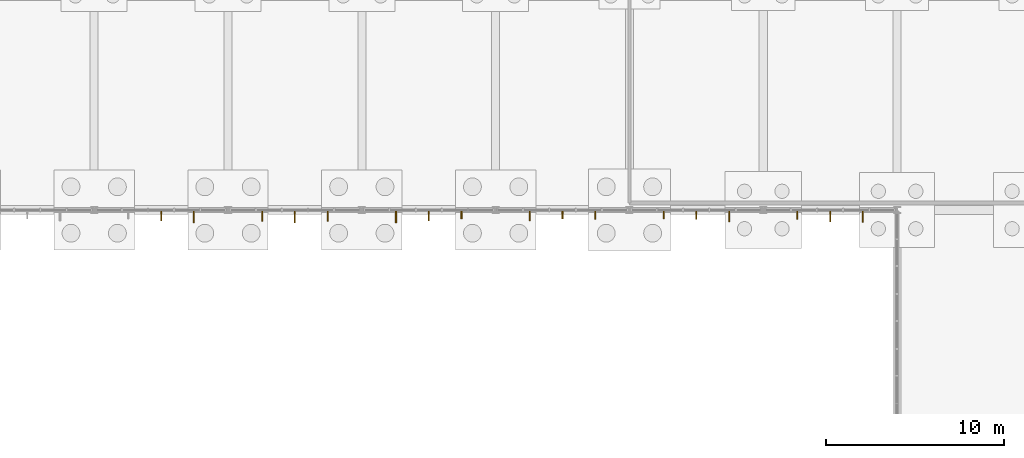
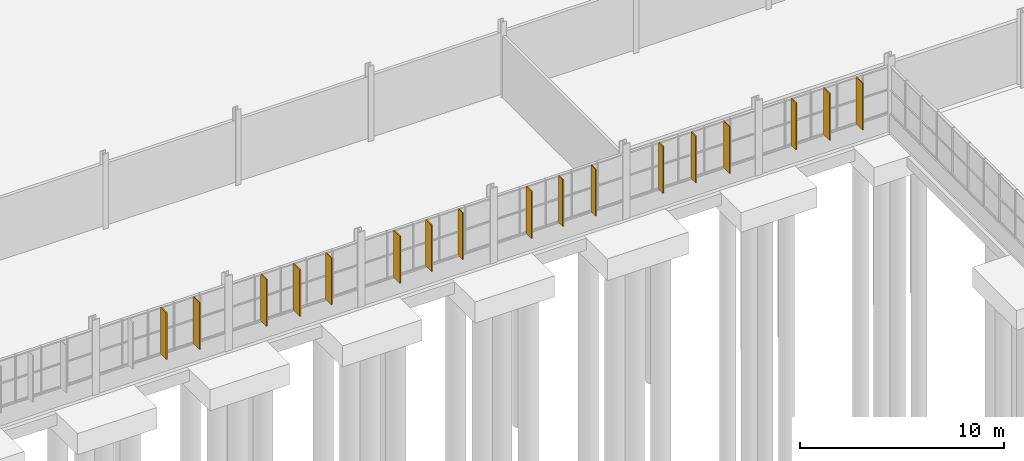
# One storey, part 128 of 136: 17 coverings.
"""IFC4 building model written with IfcOpenShell, lengths in metres."""

from ifc_helpers import new_model, si_unit, direction, frame, origin, origin_2d, place, context, subcontext, project, spatial, rectangle, extrude, material, layer, layer_set, type_object, element, save


model = new_model("IFC4")

# Units and contexts
model_context = context("Model", 3, precision=1e-05, world=origin(), true_north=direction((0.0, 1.0)))
body_context = subcontext(model_context, "Body", "Model", "MODEL_VIEW")
ifc_project = project(units=[si_unit("LENGTHUNIT", "METRE"), si_unit("AREAUNIT", "SQUARE_METRE"), si_unit("VOLUMEUNIT", "CUBIC_METRE"), si_unit("PLANEANGLEUNIT", "RADIAN"), si_unit("MASSUNIT", "GRAM", prefix="KILO")], contexts=[model_context])

# Site, building, storey
site_placement = place(None, origin())
site = spatial("IfcSite", under=ifc_project, at=site_placement, CompositionType="ELEMENT")
building_placement = place(site_placement, origin())
building = spatial("IfcBuilding", under=site, at=building_placement, Name="Solvenia Promenade Tram Depot", CompositionType="ELEMENT")
storey_placement = place(building_placement, origin())
storey = spatial("IfcBuildingStorey", under=building, at=storey_placement, Name="L00", CompositionType="ELEMENT", Elevation=0.0)

# Coverings
ifc_material = material(Name="Anodized aluminium AW-6063 T6", Category="aluminium")
ifc_layer = layer(ifc_material, 0.06005859375, Name="Anodized aluminium AW-6063 T6", Category="aluminium")
ifc_layer_set = layer_set([ifc_layer], Name="Anodized aluminium AW-6063 T6")
covering_type = type_object("IfcCoveringType", Name="Fin-Param-560", PredefinedType="CLADDING", material=ifc_layer_set)
covering_1_placement = place(storey_placement, frame((63.75, 65.6630859375, 1.0498046875), z_axis=(0.0, 0.0, 1.0), x_axis=(1.0, 0.0, 0.0)))
element("IfcCovering", 1, at=covering_1_placement, inside=storey, type_object=covering_type, Name="Parametric Vertical Brise-Soleil Fin 111", PredefinedType="CLADDING", context=body_context, shape_type="SweptSolid", body=[
    extrude(rectangle(XDim=0.06005859375, YDim=0.553955078125, at=origin_2d()), origin(), (0.0, 0.0, 1.0), 2.800048828125),
])
covering_2_placement = place(storey_placement, frame((65.5849609375, 65.6201171875, 1.0498046875), z_axis=(0.0, 0.0, 1.0), x_axis=(1.0, 0.0, 0.0)))
element("IfcCovering", 2, at=covering_2_placement, inside=storey, type_object=covering_type, Name="Parametric Vertical Brise-Soleil Fin 112", PredefinedType="CLADDING", context=body_context, shape_type="SweptSolid", body=[
    extrude(rectangle(XDim=0.06005859375, YDim=0.639892578125, at=origin_2d()), origin(), (0.0, 0.0, 1.0), 2.800048828125),
])
covering_3_placement = place(storey_placement, frame((69.4150390625, 65.662109375, 1.0498046875), z_axis=(0.0, 0.0, 1.0), x_axis=(1.0, 0.0, 0.0)))
element("IfcCovering", 3, at=covering_3_placement, inside=storey, type_object=covering_type, Name="Parametric Vertical Brise-Soleil Fin 116", PredefinedType="CLADDING", context=body_context, shape_type="SweptSolid", body=[
    extrude(rectangle(XDim=0.06005859375, YDim=0.555908203125, at=origin_2d()), origin(), (0.0, 0.0, 1.0), 2.800048828125),
])
covering_4_placement = place(storey_placement, frame((71.25, 65.6201171875, 1.0498046875), z_axis=(0.0, 0.0, 1.0), x_axis=(1.0, 0.0, 0.0)))
element("IfcCovering", 4, at=covering_4_placement, inside=storey, type_object=covering_type, Name="Parametric Vertical Brise-Soleil Fin 117", PredefinedType="CLADDING", context=body_context, shape_type="SweptSolid", body=[
    extrude(rectangle(XDim=0.06005859375, YDim=0.639892578125, at=origin_2d()), origin(), (0.0, 0.0, 1.0), 2.800048828125),
])
covering_5_placement = place(storey_placement, frame((73.0849609375, 65.662109375, 1.0498046875), z_axis=(0.0, 0.0, 1.0), x_axis=(1.0, 0.0, 0.0)))
element("IfcCovering", 5, at=covering_5_placement, inside=storey, type_object=covering_type, Name="Parametric Vertical Brise-Soleil Fin 118", PredefinedType="CLADDING", context=body_context, shape_type="SweptSolid", body=[
    extrude(rectangle(XDim=0.06005859375, YDim=0.555908203125, at=origin_2d()), origin(), (0.0, 0.0, 1.0), 2.800048828125),
])
covering_6_placement = place(storey_placement, frame((76.9150390625, 65.6201171875, 1.0498046875), z_axis=(0.0, 0.0, 1.0), x_axis=(1.0, 0.0, 0.0)))
element("IfcCovering", 6, at=covering_6_placement, inside=storey, type_object=covering_type, Name="Parametric Vertical Brise-Soleil Fin 122", PredefinedType="CLADDING", context=body_context, shape_type="SweptSolid", body=[
    extrude(rectangle(XDim=0.06005859375, YDim=0.639892578125, at=origin_2d()), origin(), (0.0, 0.0, 1.0), 2.800048828125),
])
covering_7_placement = place(storey_placement, frame((78.75, 65.6630859375, 1.0498046875), z_axis=(0.0, 0.0, 1.0), x_axis=(1.0, 0.0, 0.0)))
element("IfcCovering", 7, at=covering_7_placement, inside=storey, type_object=covering_type, Name="Parametric Vertical Brise-Soleil Fin 123", PredefinedType="CLADDING", context=body_context, shape_type="SweptSolid", body=[
    extrude(rectangle(XDim=0.06005859375, YDim=0.553955078125, at=origin_2d()), origin(), (0.0, 0.0, 1.0), 2.800048828125),
])
covering_8_placement = place(storey_placement, frame((80.5849609375, 65.724609375, 1.0498046875), z_axis=(0.0, 0.0, 1.0), x_axis=(1.0, 0.0, 0.0)))
element("IfcCovering", 8, at=covering_8_placement, inside=storey, type_object=covering_type, Name="Parametric Vertical Brise-Soleil Fin 124", PredefinedType="CLADDING", context=body_context, shape_type="SweptSolid", body=[
    extrude(rectangle(XDim=0.06005859375, YDim=0.430908203125, at=origin_2d()), origin(), (0.0, 0.0, 1.0), 2.800048828125),
])
covering_9_placement = place(storey_placement, frame((84.4150390625, 65.6640625, 1.0498046875), z_axis=(0.0, 0.0, 1.0), x_axis=(1.0, 0.0, 0.0)))
element("IfcCovering", 9, at=covering_9_placement, inside=storey, type_object=covering_type, Name="Parametric Vertical Brise-Soleil Fin 128", PredefinedType="CLADDING", context=body_context, shape_type="SweptSolid", body=[
    extrude(rectangle(XDim=0.06005859375, YDim=0.552001953125, at=origin_2d()), origin(), (0.0, 0.0, 1.0), 2.800048828125),
])
covering_10_placement = place(storey_placement, frame((86.25, 65.72509765625, 1.0498046875), z_axis=(0.0, 0.0, 1.0), x_axis=(1.0, 0.0, 0.0)))
element("IfcCovering", 10, at=covering_10_placement, inside=storey, type_object=covering_type, Name="Parametric Vertical Brise-Soleil Fin 129", PredefinedType="CLADDING", context=body_context, shape_type="SweptSolid", body=[
    extrude(rectangle(XDim=0.06005859375, YDim=0.429931640625, at=origin_2d()), origin(), (0.0, 0.0, 1.0), 2.800048828125),
])
covering_11_placement = place(storey_placement, frame((88.0849609375, 65.70947265625, 1.0498046875), z_axis=(0.0, 0.0, 1.0), x_axis=(1.0, 0.0, 0.0)))
element("IfcCovering", 11, at=covering_11_placement, inside=storey, type_object=covering_type, Name="Parametric Vertical Brise-Soleil Fin 130", PredefinedType="CLADDING", context=body_context, shape_type="SweptSolid", body=[
    extrude(rectangle(XDim=0.06005859375, YDim=0.4609375, at=origin_2d()), origin(), (0.0, 0.0, 1.0), 2.800048828125),
])
covering_12_placement = place(storey_placement, frame((91.9150390625, 65.72509765625, 1.0498046875), z_axis=(0.0, 0.0, 1.0), x_axis=(1.0, 0.0, 0.0)))
element("IfcCovering", 12, at=covering_12_placement, inside=storey, type_object=covering_type, Name="Parametric Vertical Brise-Soleil Fin 134", PredefinedType="CLADDING", context=body_context, shape_type="SweptSolid", body=[
    extrude(rectangle(XDim=0.06005859375, YDim=0.429931640625, at=origin_2d()), origin(), (0.0, 0.0, 1.0), 2.800048828125),
])
covering_13_placement = place(storey_placement, frame((93.75, 65.708984375, 1.0498046875), z_axis=(0.0, 0.0, 1.0), x_axis=(1.0, 0.0, 0.0)))
element("IfcCovering", 13, at=covering_13_placement, inside=storey, type_object=covering_type, Name="Parametric Vertical Brise-Soleil Fin 135", PredefinedType="CLADDING", context=body_context, shape_type="SweptSolid", body=[
    extrude(rectangle(XDim=0.06005859375, YDim=0.4619140625, at=origin_2d()), origin(), (0.0, 0.0, 1.0), 2.800048828125),
])
covering_14_placement = place(storey_placement, frame((95.5849609375, 65.64111328125, 1.0498046875), z_axis=(0.0, 0.0, 1.0), x_axis=(1.0, 0.0, 0.0)))
element("IfcCovering", 14, at=covering_14_placement, inside=storey, type_object=covering_type, Name="Parametric Vertical Brise-Soleil Fin 136", PredefinedType="CLADDING", context=body_context, shape_type="SweptSolid", body=[
    extrude(rectangle(XDim=0.06005859375, YDim=0.597900390625, at=origin_2d()), origin(), (0.0, 0.0, 1.0), 2.800048828125),
])
covering_15_placement = place(storey_placement, frame((99.4150390625, 65.7080078125, 1.0498046875), z_axis=(0.0, 0.0, 1.0), x_axis=(1.0, 0.0, 0.0)))
element("IfcCovering", 15, at=covering_15_placement, inside=storey, type_object=covering_type, Name="Parametric Vertical Brise-Soleil Fin 140", PredefinedType="CLADDING", context=body_context, shape_type="SweptSolid", body=[
    extrude(rectangle(XDim=0.06005859375, YDim=0.464111328125, at=origin_2d()), origin(), (0.0, 0.0, 1.0), 2.800048828125),
])
covering_16_placement = place(storey_placement, frame((101.25, 65.639892578125, 1.0498046875), z_axis=(0.0, 0.0, 1.0), x_axis=(1.0, 0.0, 0.0)))
element("IfcCovering", 16, at=covering_16_placement, inside=storey, type_object=covering_type, Name="Parametric Vertical Brise-Soleil Fin 141", PredefinedType="CLADDING", context=body_context, shape_type="SweptSolid", body=[
    extrude(rectangle(XDim=0.06005859375, YDim=0.60009765625, at=origin_2d()), origin(), (0.0, 0.0, 1.0), 2.800048828125),
])
covering_17_placement = place(storey_placement, frame((103.0849609375, 65.62548828125, 1.0498046875), z_axis=(0.0, 0.0, 1.0), x_axis=(1.0, 0.0, 0.0)))
element("IfcCovering", 17, at=covering_17_placement, inside=storey, type_object=covering_type, Name="Parametric Vertical Brise-Soleil Fin 142", PredefinedType="CLADDING", context=body_context, shape_type="SweptSolid", body=[
    extrude(rectangle(XDim=0.06005859375, YDim=0.62890625, at=origin_2d()), origin(), (0.0, 0.0, 1.0), 2.800048828125),
])

save(model, "model.ifc")
